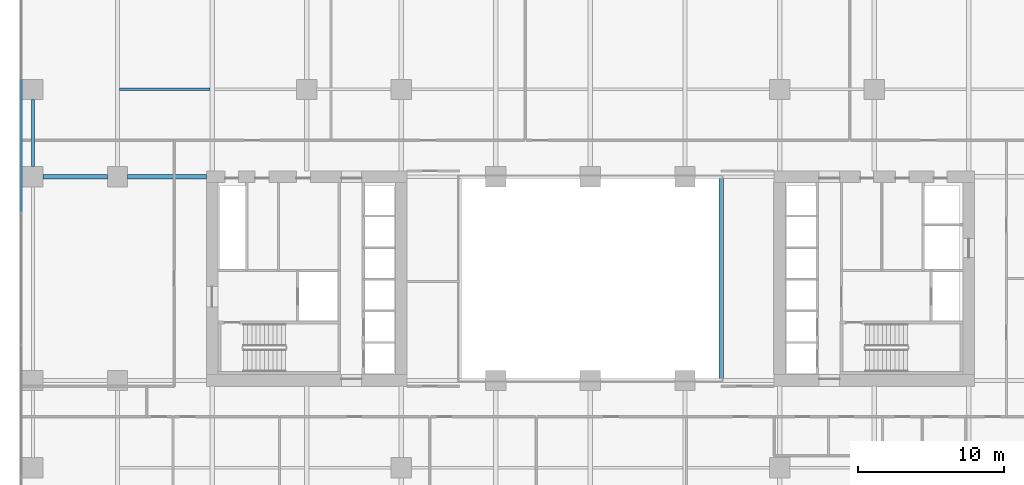
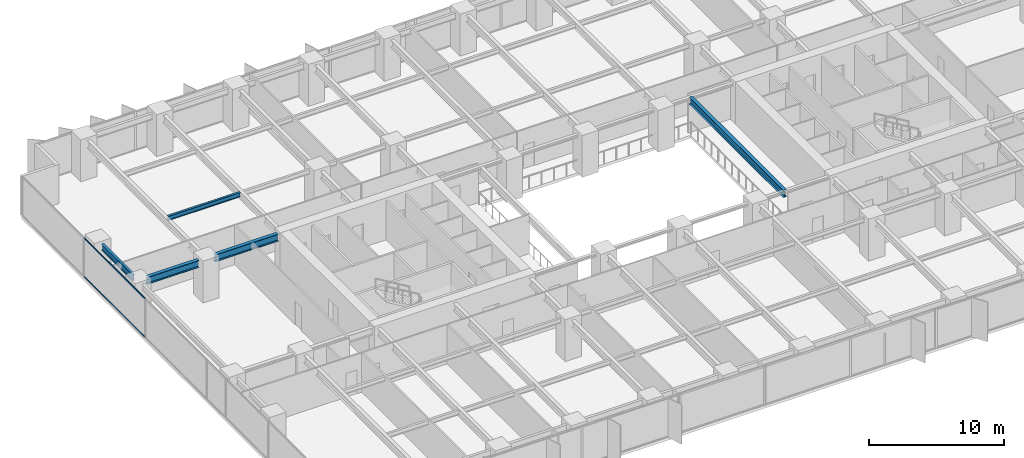
# One storey, part 6 of 20: 5 beams, 2 members, 1 element without a shape of its own.
"""IFC4 building model written with IfcOpenShell, lengths in metres."""

import ifcopenshell
import ifcopenshell.guid

model = None  # the IFC model being written
_history = None  # IfcOwnerHistory: only IFC2X3 demands one
_inside = {}  # id of a spatial element -> (the spatial element, [elements in it])
_under = {}  # id of a project, library or spatial element -> (it, [spatial elements below it])
_declared = {}  # id of a project -> (the project, [libraries it declares])
_typed = {}  # id of a type object -> (the type object, [elements of that type])
_made_of = {}  # id of a material, layer set ... -> (it, [elements and type objects made of it])


def new_model(schema):
    """Start an empty IFC model of exactly this schema.

    Asked for "IFC4X3", IfcOpenShell would pick the latest addendum, in which some entities
    have other attributes; the version numbers below select the first issue.
    IFC2X3 requires an IfcOwnerHistory on every rooted entity: one is made here for all.
    """
    global model, _history
    if schema == "IFC4X3":
        model = ifcopenshell.file(schema_version=(4, 3, 0, 0))
    else:
        model = ifcopenshell.file(schema=schema)
    _inside.clear()
    _under.clear()
    _declared.clear()
    _typed.clear()
    _made_of.clear()
    _history = None
    if model.schema == "IFC2X3":
        org = make("IfcOrganization", Name="unknown")
        user = make(
            "IfcPersonAndOrganization",
            ThePerson=make("IfcPerson", FamilyName="unknown"),
            TheOrganization=org,
        )
        app = make(
            "IfcApplication",
            ApplicationDeveloper=org,
            Version="unknown",
            ApplicationFullName="unknown",
            ApplicationIdentifier="unknown",
        )
        _history = make(
            "IfcOwnerHistory",
            OwningUser=user,
            OwningApplication=app,
            ChangeAction="ADDED",
            CreationDate=0,
        )
    return model


def make(cls, **values):
    """One entity of the class cls with the attributes given. An attribute that is None is left unset."""
    return model.create_entity(
        cls, **{name: value for name, value in values.items() if value is not None}
    )


def rooted(cls, **values):
    """An entity with a GlobalId (a new one), such as an element, a storey or a relation."""
    return make(cls, GlobalId=ifcopenshell.guid.new(), OwnerHistory=_history, **values)


def si_unit(unit_type, name, prefix=None):
    """IfcSIUnit, for example si_unit("LENGTHUNIT", "METRE", prefix="MILLI")."""
    return make("IfcSIUnit", UnitType=unit_type, Prefix=prefix, Name=name)


def assignment(units):
    """IfcUnitAssignment: the units of a project."""
    return None if units is None else make("IfcUnitAssignment", Units=units)


def point(xyz):
    """IfcCartesianPoint."""
    return None if xyz is None else make("IfcCartesianPoint", Coordinates=xyz)


def direction(xyz):
    """IfcDirection."""
    return None if xyz is None else make("IfcDirection", DirectionRatios=xyz)


def frame(location, z_axis=None, x_axis=None):
    """IfcAxis2Placement3D, a coordinate frame: its origin and axes. An axis left out is left unset."""
    return make(
        "IfcAxis2Placement3D",
        Location=point(location),
        Axis=direction(z_axis),
        RefDirection=direction(x_axis),
    )


def frame_2d(location, x_axis=None):
    """IfcAxis2Placement2D, a coordinate frame in the plane: its origin and x axis."""
    return make(
        "IfcAxis2Placement2D", Location=point(location), RefDirection=direction(x_axis)
    )


def origin():
    """The frame at (0, 0, 0) with its axes left unset."""
    return frame((0.0, 0.0, 0.0))


def origin_2d():
    """The frame at (0, 0) in the plane with its x axis left unset."""
    return frame_2d((0.0, 0.0))


def place(relative_to, where):
    """IfcLocalPlacement: puts the frame where relative to a parent placement (None: the world)."""
    return make(
        "IfcLocalPlacement", PlacementRelTo=relative_to, RelativePlacement=where
    )


def context(
    kind, dimensions, precision=None, world=None, true_north=None, identifier=None
):
    """IfcGeometricRepresentationContext, for example the 3D "Model" context."""
    return make(
        "IfcGeometricRepresentationContext",
        ContextIdentifier=identifier,
        ContextType=kind,
        CoordinateSpaceDimension=dimensions,
        Precision=precision,
        WorldCoordinateSystem=world,
        TrueNorth=true_north,
    )


def subcontext(parent, identifier, kind, view, scale=None):
    """IfcGeometricRepresentationSubContext, for example "Body" below "Model"."""
    return make(
        "IfcGeometricRepresentationSubContext",
        ContextIdentifier=identifier,
        ContextType=kind,
        ParentContext=parent,
        TargetScale=scale,
        TargetView=view,
    )


def project(units=None, contexts=None):
    """IfcProject with its units and contexts."""
    return rooted(
        "IfcProject",
        Name="project",
        RepresentationContexts=contexts,
        UnitsInContext=assignment(units),
    )


def spatial(cls, under=None, at=None, **own):
    """A site, building, storey or space (cls), placed at a placement, below another one or the project."""
    s = rooted(cls, ObjectPlacement=at, **own)
    if under is not None:
        _under.setdefault(under.id(), (under, []))[1].append(s)
    return s


def profile(cls, at=None, kind="AREA", **sizes):
    """A parametric profile (cls). Its sizes go by their IFC names, for example OverallWidth=200.0."""
    return make(cls, ProfileType=kind, Position=at, **sizes)


def rectangle(**sizes):
    """IfcRectangleProfileDef."""
    return profile("IfcRectangleProfileDef", **sizes)


def i_section(**sizes):
    """IfcIShapeProfileDef."""
    return profile("IfcIShapeProfileDef", **sizes)


def extrude(swept, where, along, depth):
    """IfcExtrudedAreaSolid: the profile swept, set in the frame where, extruded along a direction by depth."""
    return make(
        "IfcExtrudedAreaSolid",
        SweptArea=swept,
        Position=where,
        ExtrudedDirection=direction(along),
        Depth=depth,
    )


def shape(context_of_items, identifier, shape_type, items):
    """IfcShapeRepresentation: the items that make up one representation, for example the "Body"."""
    return make(
        "IfcShapeRepresentation",
        ContextOfItems=context_of_items,
        RepresentationIdentifier=identifier,
        RepresentationType=shape_type,
        Items=items,
    )


def material(Name=None, Category=None):
    """IfcMaterial."""
    return make("IfcMaterial", Name=Name, Category=Category)


def layer(
    of_material, thickness, ventilated=None, Name=None, Category=None, Priority=None
):
    """IfcMaterialLayer: one layer of a wall or slab, of a material (None: an air gap)."""
    return make(
        "IfcMaterialLayer",
        Material=of_material,
        LayerThickness=thickness,
        IsVentilated=ventilated,
        Name=Name,
        Category=Category,
        Priority=Priority,
    )


def layer_set(layers, Name=None):
    """IfcMaterialLayerSet."""
    return make("IfcMaterialLayerSet", MaterialLayers=layers, LayerSetName=Name)


def material_profile(
    of_material, cross_section, Name=None, Category=None, Priority=None
):
    """IfcMaterialProfile: a cross section and its material."""
    return make(
        "IfcMaterialProfile",
        Name=Name,
        Material=of_material,
        Profile=cross_section,
        Priority=Priority,
        Category=Category,
    )


def profile_set(profiles, Name=None, composite=None):
    """IfcMaterialProfileSet."""
    return make(
        "IfcMaterialProfileSet",
        Name=Name,
        MaterialProfiles=profiles,
        CompositeProfile=composite,
    )


def made_of(thing, what):
    """Note that an element or type object is made of a material, layer set ...; save() writes the relation."""
    if what is not None:
        _made_of.setdefault(what.id(), (what, []))[1].append(thing)
    return thing


def type_object(cls, material=None, **own):
    """A type object (cls), such as IfcWallType, which elements share."""
    return made_of(rooted(cls, **own), material)


def element(
    cls,
    number,
    at=None,
    inside=None,
    cuts=None,
    type_object=None,
    material=None,
    context=None,
    identifier="Body",
    shape_type=None,
    held_by="IfcProductDefinitionShape",
    body=None,
    shapes=None,
    **own,
):
    """One element of the class cls, such as IfcWall. Its Tag is "e" and its number.

    at: its placement. inside: the storey or other place that contains it. cuts: it is an
    opening in that element (IfcRelVoidsElement). A single representation is given by context,
    identifier, shape_type and body (its items); several are given by shapes. held_by: the class
    of the entity that holds the representations. save() writes the other relations.
    """
    e = rooted(cls, Tag="e%d" % number, ObjectPlacement=at, **own)
    if body is not None:
        shapes = [shape(context, identifier, shape_type, body)]
    if shapes is not None:
        e.Representation = make(held_by, Representations=shapes)
    if inside is not None:
        _inside.setdefault(inside.id(), (inside, []))[1].append(e)
    if cuts is not None:
        rooted(
            "IfcRelVoidsElement", RelatingBuildingElement=cuts, RelatedOpeningElement=e
        )
    if type_object is not None:
        _typed.setdefault(type_object.id(), (type_object, []))[1].append(e)
    return made_of(e, material)


def aggregate(whole, parts):
    """IfcRelAggregates: a whole, such as a stair, and the parts it consists of."""
    return rooted("IfcRelAggregates", RelatingObject=whole, RelatedObjects=parts)


def save(model, path):
    """Write the relations noted so far, then the file.

    IfcRelAggregates (storeys below a building ...), IfcRelContainedInSpatialStructure (elements
    in a storey), IfcRelDefinesByType, IfcRelAssociatesMaterial and IfcRelDeclares: one each for
    every whole, place, type object, material and project.
    """
    for whole, parts in _under.values():
        aggregate(whole, parts)
    for where, things in _inside.values():
        rooted(
            "IfcRelContainedInSpatialStructure",
            RelatedElements=things,
            RelatingStructure=where,
        )
    for kind, things in _typed.values():
        rooted("IfcRelDefinesByType", RelatedObjects=things, RelatingType=kind)
    for what, things in _made_of.values():
        rooted("IfcRelAssociatesMaterial", RelatedObjects=things, RelatingMaterial=what)
    for by, libraries in _declared.values():
        rooted("IfcRelDeclares", RelatingContext=by, RelatedDefinitions=libraries)
    model.write(path)


model = new_model("IFC4")

# Units and contexts
model_context = context("Model", 3, precision=1e-05, world=origin(), true_north=direction((0.0, 1.0)))
body_context = subcontext(model_context, "Body", "Model", "MODEL_VIEW")
ifc_project = project(units=[si_unit("LENGTHUNIT", "METRE"), si_unit("AREAUNIT", "SQUARE_METRE"), si_unit("VOLUMEUNIT", "CUBIC_METRE"), si_unit("PLANEANGLEUNIT", "RADIAN"), si_unit("MASSUNIT", "GRAM", prefix="KILO")], contexts=[model_context])

# Site, building, storey
site_placement = place(None, origin())
site = spatial("IfcSite", under=ifc_project, at=site_placement, CompositionType="ELEMENT")
building_placement = place(site_placement, origin())
building = spatial("IfcBuilding", under=site, at=building_placement, Name="Putna Gate Headquarters", CompositionType="ELEMENT")
storey_placement = place(building_placement, frame((0.0, 0.0, 65.800048828125)))
storey = spatial("IfcBuildingStorey", under=building, at=storey_placement, Name="L15", CompositionType="ELEMENT", Elevation=65.800048828125)

# Beams
ifc_material_1 = material(Name="Steel S355J2", Category="steel")
ifc_material_profile_1 = material_profile(ifc_material_1, i_section(OverallWidth=0.300048828125, OverallDepth=0.64990234375, WebThickness=0.01611328125, FlangeThickness=0.031005859375, at=origin_2d()), Name="Steel S355J2")
ifc_profile_set_1 = profile_set([ifc_material_profile_1], Name="Steel S355J2")
beam_type_1 = type_object("IfcBeamType", Name="BM-GIRD-Z1-HEB650", PredefinedType="USERDEFINED", material=ifc_profile_set_1)
beam_1_placement = place(storey_placement, frame((1.367919921875, 33.0, 3.224853515625), z_axis=(1.0, 0.0, 0.0), x_axis=(0.0, 1.0, 0.0)))
element("IfcBeam", 1, at=beam_1_placement, inside=storey, type_object=beam_type_1, Name="L15 West Wing Girder Y33-1", ObjectType="GIRDER", PredefinedType="USERDEFINED", context=body_context, shape_type="SweptSolid", body=[
    extrude(i_section(OverallWidth=0.300048828125, OverallDepth=0.64990234375, WebThickness=0.01611328125, FlangeThickness=0.031005859375, at=origin_2d()), origin(), (0.0, 0.0, 1.0), 4.444091796875),
])
beam_2_placement = place(storey_placement, frame((7.18798828125, 33.0, 3.224853515625), z_axis=(1.0, 0.0, 0.0), x_axis=(0.0, 1.0, 0.0)))
element("IfcBeam", 2, at=beam_2_placement, inside=storey, type_object=beam_type_1, Name="L15 West Wing Girder Y33-2", ObjectType="GIRDER", PredefinedType="USERDEFINED", context=body_context, shape_type="SweptSolid", body=[
    extrude(i_section(OverallWidth=0.300048828125, OverallDepth=0.64990234375, WebThickness=0.01611328125, FlangeThickness=0.031005859375, at=origin_2d()), origin(), (0.0, 0.0, 1.0), 5.427001953125),
])
beam_3_placement = place(storey_placement, frame((48.0, 19.010009765625, 3.224853515625), z_axis=(0.0, 1.0, 0.0), x_axis=(-1.0, 0.0, 0.0)))
element("IfcBeam", 3, at=beam_3_placement, inside=storey, type_object=beam_type_1, Name="L15 Atrium Trim Girder AE", ObjectType="GIRDER", PredefinedType="USERDEFINED", context=body_context, shape_type="SweptSolid", body=[
    extrude(i_section(OverallWidth=0.300048828125, OverallDepth=0.64990234375, WebThickness=0.01611328125, FlangeThickness=0.031005859375, at=origin_2d()), origin(), (0.0, 0.0, 1.0), 13.97998046875),
])
ifc_material_profile_2 = material_profile(ifc_material_1, i_section(OverallWidth=0.179931640625, OverallDepth=0.39990234375, WebThickness=0.008544921875, FlangeThickness=0.013427734375, at=origin_2d()), Name="Steel S355J2")
ifc_profile_set_2 = profile_set([ifc_material_profile_2], Name="Steel S355J2")
beam_type_2 = type_object("IfcBeamType", Name="BM-SEC-Z1-IPE400", PredefinedType="BEAM", material=ifc_profile_set_2)
beam_4_placement = place(storey_placement, frame((6.654052734375, 39.0, 3.349853515625), z_axis=(1.0, 0.0, 0.0), x_axis=(0.0, 1.0, 0.0)))
element("IfcBeam", 4, at=beam_4_placement, inside=storey, type_object=beam_type_2, Name="L15 North Secondary Beam 1", PredefinedType="BEAM", context=body_context, shape_type="SweptSolid", body=[
    extrude(i_section(OverallWidth=0.179931640625, OverallDepth=0.39990234375, WebThickness=0.008544921875, FlangeThickness=0.013427734375, at=origin_2d()), origin(), (0.0, 0.0, 1.0), 6.19189453125),
])
ifc_material_profile_3 = material_profile(ifc_material_1, i_section(OverallWidth=0.2099609375, OverallDepth=0.550048828125, WebThickness=0.010986328125, FlangeThickness=0.01708984375, at=origin_2d()), Name="Steel S355J2")
ifc_profile_set_3 = profile_set([ifc_material_profile_3], Name="Steel S355J2")
beam_type_3 = type_object("IfcBeamType", Name="BM-SPAN-Z1-IPE550", PredefinedType="SPANDREL", material=ifc_profile_set_3)
beam_5_placement = place(storey_placement, frame((0.679931640625, 33.68798828125, 3.27490234375), z_axis=(0.0, 1.0, 0.0), x_axis=(-1.0, 0.0, 0.0)))
element("IfcBeam", 5, at=beam_5_placement, inside=storey, type_object=beam_type_3, Name="L15 W End Spandrel 3", PredefinedType="SPANDREL", context=body_context, shape_type="SweptSolid", body=[
    extrude(i_section(OverallWidth=0.2099609375, OverallDepth=0.550048828125, WebThickness=0.010986328125, FlangeThickness=0.01708984375, at=origin_2d()), origin(), (0.0, 0.0, 1.0), 4.6240234375),
])

# Curtain wall, members
ifc_material_2 = material(Name="Anodised bronze aluminium curtain wall", Category="aluminium")
ifc_layer = layer(ifc_material_2, 0.179931640625)
ifc_layer_set = layer_set([ifc_layer], Name="Anodised bronze aluminium curtain wall")
curtain_wall_type = type_object("IfcCurtainWallType", Name="CW-SYS-Z1", PredefinedType="USERDEFINED", material=ifc_layer_set)
curtain_wall_placement = place(storey_placement, origin())
curtain_wall = element("IfcCurtainWall", 6, at=curtain_wall_placement, inside=storey, type_object=curtain_wall_type, Name="L15 West Curtain Wall", ObjectType="STICK CURTAIN WALL", PredefinedType="USERDEFINED")
ifc_material_3 = material(Name="Anodised bronze aluminium EN AW-6060", Category="aluminium")
ifc_material_profile_4 = material_profile(ifc_material_3, rectangle(XDim=0.06494140625, YDim=0.1201171875, at=origin_2d()), Name="Anodised bronze aluminium EN AW-6060")
ifc_profile_set_4 = profile_set([ifc_material_profile_4], Name="Anodised bronze aluminium EN AW-6060")
member_type = type_object("IfcMemberType", Name="TRAN-CWT-1", PredefinedType="USERDEFINED", material=ifc_profile_set_4)
member_1_placement = place(storey_placement, frame((-0.1201171875, 30.594970703125, 0.032470703125), z_axis=(0.0, 1.0, 0.0), x_axis=(-1.0, 0.0, 0.0)))
member_1 = element("IfcMember", 7, at=member_1_placement, type_object=member_type, Name="CWS-1 transom 4.1", ObjectType="TRANSOM", PredefinedType="USERDEFINED", context=body_context, shape_type="SweptSolid", body=[
    extrude(rectangle(XDim=0.06494140625, YDim=0.1201171875, at=origin_2d()), origin(), (0.0, 0.0, 1.0), 9.050048828125),
])
member_2_placement = place(storey_placement, frame((-0.1201171875, 30.594970703125, 3.517333984375), z_axis=(0.0, 1.0, 0.0), x_axis=(-1.0, 0.0, 0.0)))
member_2 = element("IfcMember", 8, at=member_2_placement, type_object=member_type, Name="CWS-1 transom 4.2", ObjectType="TRANSOM", PredefinedType="USERDEFINED", context=body_context, shape_type="SweptSolid", body=[
    extrude(rectangle(XDim=0.06494140625, YDim=0.1201171875, at=origin_2d()), origin(), (0.0, 0.0, 1.0), 9.050048828125),
])
aggregate(curtain_wall, [member_1, member_2])

save(model, "model.ifc")
